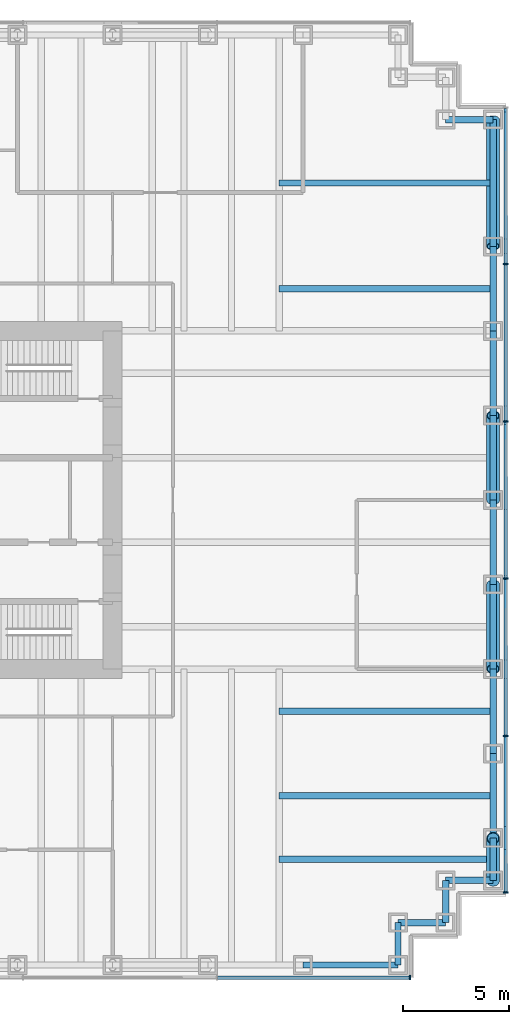
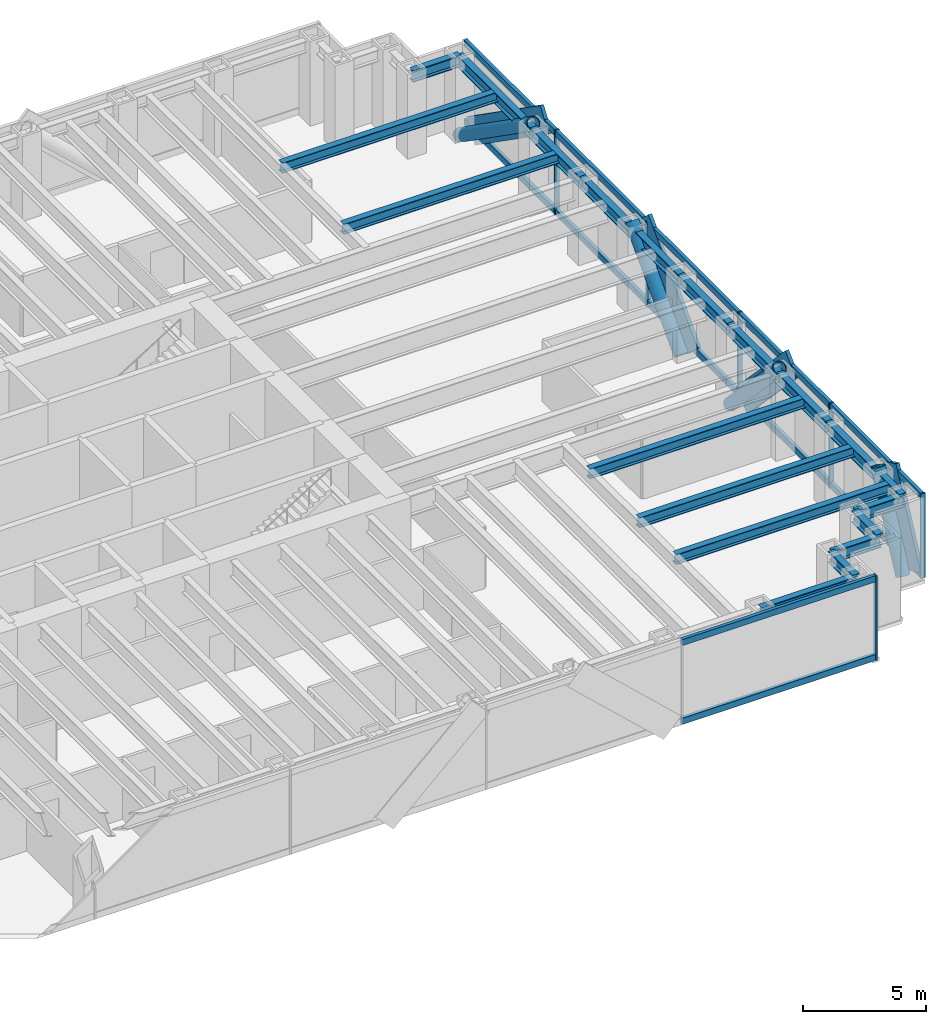
# One storey, part 8 of 15: 26 members, 20 beams, 2 elements without a shape of their own.
"""IFC4 building model written with IfcOpenShell, lengths in metres."""

from ifc_helpers import new_model, si_unit, direction, frame, origin, origin_2d, place, context, subcontext, project, spatial, rectangle, hollow_circle, i_section, extrude, material, material_profile, profile_set, type_object, element, aggregate, save


model = new_model("IFC4")

# Units and contexts
model_context = context("Model", 3, precision=1e-05, world=origin(), true_north=direction((0.0, 1.0)))
body_context = subcontext(model_context, "Body", "Model", "MODEL_VIEW")
ifc_project = project(units=[si_unit("LENGTHUNIT", "METRE"), si_unit("AREAUNIT", "SQUARE_METRE"), si_unit("VOLUMEUNIT", "CUBIC_METRE"), si_unit("PLANEANGLEUNIT", "RADIAN"), si_unit("MASSUNIT", "GRAM", prefix="KILO")], contexts=[model_context])

# Site, building, storey
site_placement = place(None, origin())
site = spatial("IfcSite", under=ifc_project, at=site_placement, CompositionType="ELEMENT")
building_placement = place(site_placement, origin())
building = spatial("IfcBuilding", under=site, at=building_placement, Name="Rheinbord Bourse Tower", CompositionType="ELEMENT")
storey_placement = place(building_placement, frame((0.0, 0.0, 104.699951171875)))
storey = spatial("IfcBuildingStorey", under=building, at=storey_placement, Name="L22", CompositionType="ELEMENT", Elevation=104.699951171875)

# Curtain wall, members
ifc_material_1 = material(Name="Dark glass and black aluminium", Category="aluminium")
curtain_wall_type = type_object("IfcCurtainWallType", Name="CW2 DARK GLASS CURTAIN WALL", PredefinedType="USERDEFINED", material=ifc_material_1)
curtain_wall_1_placement = place(storey_placement, origin())
curtain_wall_1 = element("IfcCurtainWall", 1, at=curtain_wall_1_placement, inside=storey, type_object=curtain_wall_type, Name="Curtain wall CW2 E L22", ObjectType="UNITISED CURTAIN WALL", PredefinedType="USERDEFINED")
ifc_material_2 = material(Name="Black anodised aluminium", Category="aluminium")
ifc_material_profile_1 = material_profile(ifc_material_2, rectangle(XDim=0.159912109375, YDim=1.2099609375, at=origin_2d()), Name="CW2 DIAGONAL MULLION 1210x160")
ifc_profile_set_1 = profile_set([ifc_material_profile_1], Name="Black anodised aluminium")
member_type_1 = type_object("IfcMemberType", Name="CW2 BLACK DIAGONAL MULLION", PredefinedType="USERDEFINED", material=ifc_profile_set_1)
member_1_placement = place(storey_placement, frame((72.60009765625, 24.0, 0.0), z_axis=(0.0, 0.689659376744, 0.724133926887), x_axis=(-1.0, 0.0, 0.0)))
member_1 = element("IfcMember", 2, at=member_1_placement, type_object=member_type_1, Name="CW2 diagonal mullion a", ObjectType="DIAGONAL MULLION", PredefinedType="USERDEFINED", context=body_context, shape_type="SweptSolid", body=[
    extrude(rectangle(XDim=0.159912109375, YDim=1.2099609375, at=origin_2d()), origin(), (0.0, 0.0, 1.0), 5.800048828125),
])
member_2_placement = place(storey_placement, frame((72.60009765625, 20.0, 0.0), z_axis=(0.0, -0.689659376744, 0.724133926887), x_axis=(1.0, 0.0, 0.0)))
member_2 = element("IfcMember", 3, at=member_2_placement, type_object=member_type_1, Name="CW2 diagonal mullion b", ObjectType="DIAGONAL MULLION", PredefinedType="USERDEFINED", context=body_context, shape_type="SweptSolid", body=[
    extrude(rectangle(XDim=0.159912109375, YDim=1.2099609375, at=origin_2d()), origin(), (0.0, 0.0, 1.0), 5.800048828125),
])
member_3_placement = place(storey_placement, frame((72.60009765625, 42.0, 0.0), z_axis=(0.0, -0.819235052632, 0.57345786989), x_axis=(1.0, 0.0, 0.0)))
member_3 = element("IfcMember", 4, at=member_3_placement, type_object=member_type_1, Name="CW2 diagonal mullion c", ObjectType="DIAGONAL MULLION", PredefinedType="USERDEFINED", context=body_context, shape_type="SweptSolid", body=[
    extrude(rectangle(XDim=0.159912109375, YDim=1.2099609375, at=origin_2d()), origin(), (0.0, 0.0, 1.0), 7.323974609375),
])
member_4_placement = place(storey_placement, frame((72.60009765625, 6.0, 0.0), z_axis=(0.0, 0.429937654825, 0.902858578607), x_axis=(-1.0, 0.0, 0.0)))
member_4 = element("IfcMember", 5, at=member_4_placement, type_object=member_type_1, Name="CW2 diagonal mullion d", ObjectType="DIAGONAL MULLION", PredefinedType="USERDEFINED", context=body_context, shape_type="SweptSolid", body=[
    extrude(rectangle(XDim=0.159912109375, YDim=1.2099609375, at=origin_2d()), origin(), (0.0, 0.0, 1.0), 4.65185546875),
])

# Curtain wall, member
curtain_wall_2_placement = place(storey_placement, origin())
curtain_wall_2 = element("IfcCurtainWall", 6, at=curtain_wall_2_placement, inside=storey, type_object=curtain_wall_type, Name="Curtain wall CW2 S L22", ObjectType="UNITISED CURTAIN WALL", PredefinedType="USERDEFINED")
ifc_material_3 = material(Name="Black anodised aluminium", Category="aluminium")
ifc_material_profile_2 = material_profile(ifc_material_3, rectangle(XDim=0.219970703125, YDim=0.070068359375, at=origin_2d()), Name="CW2 MULLION 70x220")
ifc_profile_set_2 = profile_set([ifc_material_profile_2], Name="Black anodised aluminium")
member_type_2 = type_object("IfcMemberType", Name="CW2 BLACK MULLION", PredefinedType="MULLION", material=ifc_profile_set_2)
member_5_placement = place(storey_placement, frame((68.06494140625, 1.39990234375, 0.0), z_axis=(0.0, 0.0, 1.0), x_axis=(0.0, 1.0, 0.0)))
member_5 = element("IfcMember", 7, at=member_5_placement, type_object=member_type_2, Name="CW2 mullion 8", PredefinedType="MULLION", context=body_context, shape_type="SweptSolid", body=[
    extrude(rectangle(XDim=0.219970703125, YDim=0.070068359375, at=origin_2d()), origin(), (0.0, 0.0, 1.0), 4.199951171875),
])

# Member
member_6_placement = place(storey_placement, frame((72.60009765625, 5.43505859375, 0.0), z_axis=(0.0, 0.0, 1.0), x_axis=(-1.0, 0.0, 0.0)))
member_6 = element("IfcMember", 8, at=member_6_placement, type_object=member_type_2, Name="CW2 mullion 1", PredefinedType="MULLION", context=body_context, shape_type="SweptSolid", body=[
    extrude(rectangle(XDim=0.219970703125, YDim=0.070068359375, at=origin_2d()), origin(), (0.0, 0.0, 1.0), 4.199951171875),
])

member_7_placement = place(storey_placement, frame((72.60009765625, 12.840087890625, 0.0), z_axis=(0.0, 0.0, 1.0), x_axis=(-1.0, 0.0, 0.0)))
member_7 = element("IfcMember", 9, at=member_7_placement, type_object=member_type_2, Name="CW2 mullion 2", PredefinedType="MULLION", context=body_context, shape_type="SweptSolid", body=[
    extrude(rectangle(XDim=0.219970703125, YDim=0.070068359375, at=origin_2d()), origin(), (0.0, 0.0, 1.0), 4.199951171875),
])

member_8_placement = place(storey_placement, frame((72.60009765625, 20.280029296875, 0.0), z_axis=(0.0, 0.0, 1.0), x_axis=(-1.0, 0.0, 0.0)))
member_8 = element("IfcMember", 10, at=member_8_placement, type_object=member_type_2, Name="CW2 mullion 3", PredefinedType="MULLION", context=body_context, shape_type="SweptSolid", body=[
    extrude(rectangle(XDim=0.219970703125, YDim=0.070068359375, at=origin_2d()), origin(), (0.0, 0.0, 1.0), 4.199951171875),
])

member_9_placement = place(storey_placement, frame((72.60009765625, 27.719970703125, 0.0), z_axis=(0.0, 0.0, 1.0), x_axis=(-1.0, 0.0, 0.0)))
member_9 = element("IfcMember", 11, at=member_9_placement, type_object=member_type_2, Name="CW2 mullion 4", PredefinedType="MULLION", context=body_context, shape_type="SweptSolid", body=[
    extrude(rectangle(XDim=0.219970703125, YDim=0.070068359375, at=origin_2d()), origin(), (0.0, 0.0, 1.0), 4.199951171875),
])

member_10_placement = place(storey_placement, frame((72.60009765625, 35.159912109375, 0.0), z_axis=(0.0, 0.0, 1.0), x_axis=(-1.0, 0.0, 0.0)))
member_10 = element("IfcMember", 12, at=member_10_placement, type_object=member_type_2, Name="CW2 mullion 5", PredefinedType="MULLION", context=body_context, shape_type="SweptSolid", body=[
    extrude(rectangle(XDim=0.219970703125, YDim=0.070068359375, at=origin_2d()), origin(), (0.0, 0.0, 1.0), 4.199951171875),
])

ifc_material_4 = material(Name="Black anodised aluminium", Category="aluminium")
ifc_material_profile_3 = material_profile(ifc_material_4, rectangle(XDim=0.159912109375, YDim=0.300048828125, at=origin_2d()), Name="CW2 TRANSOM 300x160")
ifc_profile_set_3 = profile_set([ifc_material_profile_3], Name="Black anodised aluminium")
member_type_3 = type_object("IfcMemberType", Name="CW2 BLACK TRANSOM", PredefinedType="USERDEFINED", material=ifc_profile_set_3)
member_11_placement = place(storey_placement, frame((58.963623046875, 1.39990234375, 0.150146484375), z_axis=(1.0, 0.0, 0.0), x_axis=(0.0, 1.0, 0.0)))
member_11 = element("IfcMember", 13, at=member_11_placement, type_object=member_type_3, Name="CW2 transom 7.1", ObjectType="TRANSOM", PredefinedType="USERDEFINED", context=body_context, shape_type="SweptSolid", body=[
    extrude(rectangle(XDim=0.159912109375, YDim=0.300048828125, at=origin_2d()), origin(), (0.0, 0.0, 1.0), 9.06640625),
])

member_12_placement = place(storey_placement, frame((58.963623046875, 1.39990234375, 4.050048828125), z_axis=(1.0, 0.0, 0.0), x_axis=(0.0, 1.0, 0.0)))
member_12 = element("IfcMember", 14, at=member_12_placement, type_object=member_type_3, Name="CW2 transom 7.2", ObjectType="TRANSOM", PredefinedType="USERDEFINED", context=body_context, shape_type="SweptSolid", body=[
    extrude(rectangle(XDim=0.159912109375, YDim=0.300048828125, at=origin_2d()), origin(), (0.0, 0.0, 1.0), 9.06640625),
])

aggregate(curtain_wall_2, [member_5, member_11, member_12])

member_13_placement = place(storey_placement, frame((72.60009765625, 5.469970703125, 0.150146484375), z_axis=(0.0, 1.0, 0.0), x_axis=(-1.0, 0.0, 0.0)))
member_13 = element("IfcMember", 15, at=member_13_placement, type_object=member_type_3, Name="CW2 transom 1.1", ObjectType="TRANSOM", PredefinedType="USERDEFINED", context=body_context, shape_type="SweptSolid", body=[
    extrude(rectangle(XDim=0.159912109375, YDim=0.300048828125, at=origin_2d()), origin(), (0.0, 0.0, 1.0), 7.3349609375),
])

member_14_placement = place(storey_placement, frame((72.60009765625, 5.469970703125, 4.050048828125), z_axis=(0.0, 1.0, 0.0), x_axis=(-1.0, 0.0, 0.0)))
member_14 = element("IfcMember", 16, at=member_14_placement, type_object=member_type_3, Name="CW2 transom 1.2", ObjectType="TRANSOM", PredefinedType="USERDEFINED", context=body_context, shape_type="SweptSolid", body=[
    extrude(rectangle(XDim=0.159912109375, YDim=0.300048828125, at=origin_2d()), origin(), (0.0, 0.0, 1.0), 7.3349609375),
])

member_15_placement = place(storey_placement, frame((72.60009765625, 12.875, 0.150146484375), z_axis=(0.0, 1.0, 0.0), x_axis=(-1.0, 0.0, 0.0)))
member_15 = element("IfcMember", 17, at=member_15_placement, type_object=member_type_3, Name="CW2 transom 2.1", ObjectType="TRANSOM", PredefinedType="USERDEFINED", context=body_context, shape_type="SweptSolid", body=[
    extrude(rectangle(XDim=0.159912109375, YDim=0.300048828125, at=origin_2d()), origin(), (0.0, 0.0, 1.0), 7.3701171875),
])

member_16_placement = place(storey_placement, frame((72.60009765625, 12.875, 4.050048828125), z_axis=(0.0, 1.0, 0.0), x_axis=(-1.0, 0.0, 0.0)))
member_16 = element("IfcMember", 18, at=member_16_placement, type_object=member_type_3, Name="CW2 transom 2.2", ObjectType="TRANSOM", PredefinedType="USERDEFINED", context=body_context, shape_type="SweptSolid", body=[
    extrude(rectangle(XDim=0.159912109375, YDim=0.300048828125, at=origin_2d()), origin(), (0.0, 0.0, 1.0), 7.3701171875),
])

member_17_placement = place(storey_placement, frame((72.60009765625, 20.31494140625, 0.150146484375), z_axis=(0.0, 1.0, 0.0), x_axis=(-1.0, 0.0, 0.0)))
member_17 = element("IfcMember", 19, at=member_17_placement, type_object=member_type_3, Name="CW2 transom 3.1", ObjectType="TRANSOM", PredefinedType="USERDEFINED", context=body_context, shape_type="SweptSolid", body=[
    extrude(rectangle(XDim=0.159912109375, YDim=0.300048828125, at=origin_2d()), origin(), (0.0, 0.0, 1.0), 7.3701171875),
])

member_18_placement = place(storey_placement, frame((72.60009765625, 20.31494140625, 4.050048828125), z_axis=(0.0, 1.0, 0.0), x_axis=(-1.0, 0.0, 0.0)))
member_18 = element("IfcMember", 20, at=member_18_placement, type_object=member_type_3, Name="CW2 transom 3.2", ObjectType="TRANSOM", PredefinedType="USERDEFINED", context=body_context, shape_type="SweptSolid", body=[
    extrude(rectangle(XDim=0.159912109375, YDim=0.300048828125, at=origin_2d()), origin(), (0.0, 0.0, 1.0), 7.3701171875),
])

member_19_placement = place(storey_placement, frame((72.60009765625, 27.7548828125, 0.150146484375), z_axis=(0.0, 1.0, 0.0), x_axis=(-1.0, 0.0, 0.0)))
member_19 = element("IfcMember", 21, at=member_19_placement, type_object=member_type_3, Name="CW2 transom 4.1", ObjectType="TRANSOM", PredefinedType="USERDEFINED", context=body_context, shape_type="SweptSolid", body=[
    extrude(rectangle(XDim=0.159912109375, YDim=0.300048828125, at=origin_2d()), origin(), (0.0, 0.0, 1.0), 7.3701171875),
])

member_20_placement = place(storey_placement, frame((72.60009765625, 27.7548828125, 4.050048828125), z_axis=(0.0, 1.0, 0.0), x_axis=(-1.0, 0.0, 0.0)))
member_20 = element("IfcMember", 22, at=member_20_placement, type_object=member_type_3, Name="CW2 transom 4.2", ObjectType="TRANSOM", PredefinedType="USERDEFINED", context=body_context, shape_type="SweptSolid", body=[
    extrude(rectangle(XDim=0.159912109375, YDim=0.300048828125, at=origin_2d()), origin(), (0.0, 0.0, 1.0), 7.3701171875),
])

member_21_placement = place(storey_placement, frame((72.60009765625, 35.195068359375, 0.150146484375), z_axis=(0.0, 1.0, 0.0), x_axis=(-1.0, 0.0, 0.0)))
member_21 = element("IfcMember", 23, at=member_21_placement, type_object=member_type_3, Name="CW2 transom 5.1", ObjectType="TRANSOM", PredefinedType="USERDEFINED", context=body_context, shape_type="SweptSolid", body=[
    extrude(rectangle(XDim=0.159912109375, YDim=0.300048828125, at=origin_2d()), origin(), (0.0, 0.0, 1.0), 7.3349609375),
])

member_22_placement = place(storey_placement, frame((72.60009765625, 35.195068359375, 4.050048828125), z_axis=(0.0, 1.0, 0.0), x_axis=(-1.0, 0.0, 0.0)))
member_22 = element("IfcMember", 24, at=member_22_placement, type_object=member_type_3, Name="CW2 transom 5.2", ObjectType="TRANSOM", PredefinedType="USERDEFINED", context=body_context, shape_type="SweptSolid", body=[
    extrude(rectangle(XDim=0.159912109375, YDim=0.300048828125, at=origin_2d()), origin(), (0.0, 0.0, 1.0), 7.3349609375),
])

aggregate(curtain_wall_1, [member_6, member_7, member_8, member_9, member_10, member_13, member_14, member_15, member_16, member_17, member_18, member_19, member_20, member_21, member_22, member_1, member_2, member_3, member_4])

# Members
ifc_material_5 = material(Name="Steel S460", Category="steel")
ifc_material_profile_4 = material_profile(ifc_material_5, hollow_circle(Radius=0.304931640625, WallThickness=0.0400390625, at=origin_2d()), Name="CHS 610x40")
ifc_profile_set_4 = profile_set([ifc_material_profile_4], Name="Steel S460")
member_type_4 = type_object("IfcMemberType", Name="MEGABRACE CHS 610x40", PredefinedType="BRACE", material=ifc_profile_set_4)
for number, where, z_axis, x_axis, name in (
    (25, (72.0, 24.0, 0.0), (0.0, 0.689659376744, 0.724133926887), (-1.0, 0.0, 0.0), "Megabrace E face line a L22"),
    (26, (72.0, 20.0, 0.0), (0.0, -0.689659376744, 0.724133926887), (1.0, 0.0, 0.0), "Megabrace E face line b L22"),
):
    element("IfcMember", number, at=place(storey_placement, frame(where, z_axis=z_axis, x_axis=x_axis)), inside=storey, type_object=member_type_4, Name=name, PredefinedType="BRACE", context=body_context, shape_type="SweptSolid", body=[
        extrude(hollow_circle(Radius=0.304931640625, WallThickness=0.0400390625, at=origin_2d()), origin(), (0.0, 0.0, 1.0), 5.800048828125),
    ])
member_23_placement = place(storey_placement, frame((72.0, 42.0, 0.0), z_axis=(0.0, -0.819235052632, 0.57345786989), x_axis=(1.0, 0.0, 0.0)))
element("IfcMember", 27, at=member_23_placement, inside=storey, type_object=member_type_4, Name="Megabrace E face line c L22", PredefinedType="BRACE", context=body_context, shape_type="SweptSolid", body=[
    extrude(hollow_circle(Radius=0.304931640625, WallThickness=0.0400390625, at=origin_2d()), origin(), (0.0, 0.0, 1.0), 7.323974609375),
])
member_24_placement = place(storey_placement, frame((72.0, 6.0, 0.0), z_axis=(0.0, 0.429937654825, 0.902858578607), x_axis=(-1.0, 0.0, 0.0)))
element("IfcMember", 28, at=member_24_placement, inside=storey, type_object=member_type_4, Name="Megabrace E face line d L22", PredefinedType="BRACE", context=body_context, shape_type="SweptSolid", body=[
    extrude(hollow_circle(Radius=0.304931640625, WallThickness=0.0400390625, at=origin_2d()), origin(), (0.0, 0.0, 1.0), 4.65185546875),
])

# Beams
ifc_material_6 = material(Name="Steel S460", Category="steel")
ifc_material_profile_5 = material_profile(ifc_material_6, i_section(OverallWidth=0.305908203125, OverallDepth=0.572021484375, WebThickness=0.02099609375, FlangeThickness=0.0400390625, at=origin_2d()), Name="HEM 550")
ifc_profile_set_5 = profile_set([ifc_material_profile_5], Name="Steel S460")
beam_type_1 = type_object("IfcBeamType", Name="SPANDREL HEM 550", PredefinedType="SPANDREL", material=ifc_profile_set_5)
beam_1_placement = place(storey_placement, frame((63.0, 2.0, 3.754150390625), z_axis=(1.0, 0.0, 0.0), x_axis=(0.0, 1.0, 0.0)))
element("IfcBeam", 29, at=beam_1_placement, inside=storey, type_object=beam_type_1, Name="Spandrel S-63-SE-E under L23", PredefinedType="SPANDREL", context=body_context, shape_type="SweptSolid", body=[
    extrude(i_section(OverallWidth=0.305908203125, OverallDepth=0.572021484375, WebThickness=0.02099609375, FlangeThickness=0.0400390625, at=origin_2d()), origin(), (0.0, 0.0, 1.0), 4.5),
])
beam_2_placement = place(storey_placement, frame((67.5, 2.0, 3.754150390625), z_axis=(0.0, 1.0, 0.0), x_axis=(-1.0, 0.0, 0.0)))
element("IfcBeam", 30, at=beam_2_placement, inside=storey, type_object=beam_type_1, Name="Spandrel SE-E-SE-D under L23", PredefinedType="SPANDREL", context=body_context, shape_type="SweptSolid", body=[
    extrude(i_section(OverallWidth=0.305908203125, OverallDepth=0.572021484375, WebThickness=0.02099609375, FlangeThickness=0.0400390625, at=origin_2d()), origin(), (0.0, 0.0, 1.0), 2.0),
])
beam_3_placement = place(storey_placement, frame((67.5, 4.0, 3.754150390625), z_axis=(1.0, 0.0, 0.0), x_axis=(0.0, 1.0, 0.0)))
element("IfcBeam", 31, at=beam_3_placement, inside=storey, type_object=beam_type_1, Name="Spandrel SE-D-SE-C under L23", PredefinedType="SPANDREL", context=body_context, shape_type="SweptSolid", body=[
    extrude(i_section(OverallWidth=0.305908203125, OverallDepth=0.572021484375, WebThickness=0.02099609375, FlangeThickness=0.0400390625, at=origin_2d()), origin(), (0.0, 0.0, 1.0), 2.25),
])
beam_4_placement = place(storey_placement, frame((69.75, 4.0, 3.754150390625), z_axis=(0.0, 1.0, 0.0), x_axis=(-1.0, 0.0, 0.0)))
element("IfcBeam", 32, at=beam_4_placement, inside=storey, type_object=beam_type_1, Name="Spandrel SE-C-SE-B under L23", PredefinedType="SPANDREL", context=body_context, shape_type="SweptSolid", body=[
    extrude(i_section(OverallWidth=0.305908203125, OverallDepth=0.572021484375, WebThickness=0.02099609375, FlangeThickness=0.0400390625, at=origin_2d()), origin(), (0.0, 0.0, 1.0), 2.0),
])
beam_5_placement = place(storey_placement, frame((69.75, 6.0, 3.754150390625), z_axis=(1.0, 0.0, 0.0), x_axis=(0.0, 1.0, 0.0)))
element("IfcBeam", 33, at=beam_5_placement, inside=storey, type_object=beam_type_1, Name="Spandrel SE-B-SE-A under L23", PredefinedType="SPANDREL", context=body_context, shape_type="SweptSolid", body=[
    extrude(i_section(OverallWidth=0.305908203125, OverallDepth=0.572021484375, WebThickness=0.02099609375, FlangeThickness=0.0400390625, at=origin_2d()), origin(), (0.0, 0.0, 1.0), 2.25),
])
beam_6_placement = place(storey_placement, frame((72.0, 6.0, 3.754150390625), z_axis=(0.0, 1.0, 0.0), x_axis=(-1.0, 0.0, 0.0)))
element("IfcBeam", 34, at=beam_6_placement, inside=storey, type_object=beam_type_1, Name="Spandrel SE-A-E-8 under L23", PredefinedType="SPANDREL", context=body_context, shape_type="SweptSolid", body=[
    extrude(i_section(OverallWidth=0.305908203125, OverallDepth=0.572021484375, WebThickness=0.02099609375, FlangeThickness=0.0400390625, at=origin_2d()), origin(), (0.0, 0.0, 1.0), 2.0),
])
for number, where, z_axis, x_axis, name in (
    (35, (72.0, 8.0, 3.754150390625), (0.0, 1.0, 0.0), (-1.0, 0.0, 0.0), "Spandrel E-8-E-12 under L23"),
    (36, (72.0, 12.0, 3.754150390625), (0.0, 1.0, 0.0), (-1.0, 0.0, 0.0), "Spandrel E-12-E-16 under L23"),
    (37, (72.0, 16.0, 3.754150390625), (0.0, 1.0, 0.0), (-1.0, 0.0, 0.0), "Spandrel E-16-E-20 under L23"),
    (38, (72.0, 20.0, 3.754150390625), (0.0, 1.0, 0.0), (-1.0, 0.0, 0.0), "Spandrel E-20-E-24 under L23"),
    (39, (72.0, 24.0, 3.754150390625), (0.0, 1.0, 0.0), (-1.0, 0.0, 0.0), "Spandrel E-24-E-28 under L23"),
    (40, (72.0, 28.0, 3.754150390625), (0.0, 1.0, 0.0), (-1.0, 0.0, 0.0), "Spandrel E-28-E-32 under L23"),
    (41, (72.0, 32.0, 3.754150390625), (0.0, 1.0, 0.0), (-1.0, 0.0, 0.0), "Spandrel E-32-E-36 under L23"),
):
    element("IfcBeam", number, at=place(storey_placement, frame(where, z_axis=z_axis, x_axis=x_axis)), inside=storey, type_object=beam_type_1, Name=name, PredefinedType="SPANDREL", context=body_context, shape_type="SweptSolid", body=[
        extrude(i_section(OverallWidth=0.305908203125, OverallDepth=0.572021484375, WebThickness=0.02099609375, FlangeThickness=0.0400390625, at=origin_2d()), origin(), (0.0, 0.0, 1.0), 4.0),
    ])
beam_7_placement = place(storey_placement, frame((72.0, 36.0, 3.754150390625), z_axis=(0.0, 1.0, 0.0), x_axis=(-1.0, 0.0, 0.0)))
element("IfcBeam", 42, at=beam_7_placement, inside=storey, type_object=beam_type_1, Name="Spandrel E-36-NE-A under L23", PredefinedType="SPANDREL", context=body_context, shape_type="SweptSolid", body=[
    extrude(i_section(OverallWidth=0.305908203125, OverallDepth=0.572021484375, WebThickness=0.02099609375, FlangeThickness=0.0400390625, at=origin_2d()), origin(), (0.0, 0.0, 1.0), 6.0),
])
beam_8_placement = place(storey_placement, frame((72.0, 42.0, 3.754150390625), z_axis=(-1.0, 0.0, 0.0), x_axis=(0.0, -1.0, 0.0)))
element("IfcBeam", 43, at=beam_8_placement, inside=storey, type_object=beam_type_1, Name="Spandrel NE-A-NE-B under L23", PredefinedType="SPANDREL", context=body_context, shape_type="SweptSolid", body=[
    extrude(i_section(OverallWidth=0.305908203125, OverallDepth=0.572021484375, WebThickness=0.02099609375, FlangeThickness=0.0400390625, at=origin_2d()), origin(), (0.0, 0.0, 1.0), 2.25),
])
ifc_material_7 = material(Name="Steel S460", Category="steel")
ifc_material_profile_6 = material_profile(ifc_material_7, i_section(OverallWidth=0.300048828125, OverallDepth=0.5, WebThickness=0.014404296875, FlangeThickness=0.028076171875, at=origin_2d()), Name="HEB 500")
ifc_profile_set_6 = profile_set([ifc_material_profile_6], Name="Steel S460")
beam_type_2 = type_object("IfcBeamType", Name="TIE BEAM HEB 500", PredefinedType="JOIST", material=ifc_profile_set_6)
for number, where, z_axis, x_axis, name in (
    (44, (61.875, 7.0, 3.7900390625), (1.0, 0.0, 0.0), (0.0, 1.0, 0.0), "Tie east 7 L23"),
    (45, (61.875, 10.0, 3.7900390625), (1.0, 0.0, 0.0), (0.0, 1.0, 0.0), "Tie east 10 L23"),
    (46, (61.875, 14.0, 3.7900390625), (1.0, 0.0, 0.0), (0.0, 1.0, 0.0), "Tie east 14 L23"),
    (47, (61.875, 34.0, 3.7900390625), (1.0, 0.0, 0.0), (0.0, 1.0, 0.0), "Tie east 34 L23"),
    (48, (61.875, 39.0, 3.7900390625), (1.0, 0.0, 0.0), (0.0, 1.0, 0.0), "Tie east 39 L23"),
):
    element("IfcBeam", number, at=place(storey_placement, frame(where, z_axis=z_axis, x_axis=x_axis)), inside=storey, type_object=beam_type_2, Name=name, PredefinedType="JOIST", context=body_context, shape_type="SweptSolid", body=[
        extrude(i_section(OverallWidth=0.300048828125, OverallDepth=0.5, WebThickness=0.014404296875, FlangeThickness=0.028076171875, at=origin_2d()), origin(), (0.0, 0.0, 1.0), 10.125),
    ])

save(model, "model.ifc")
